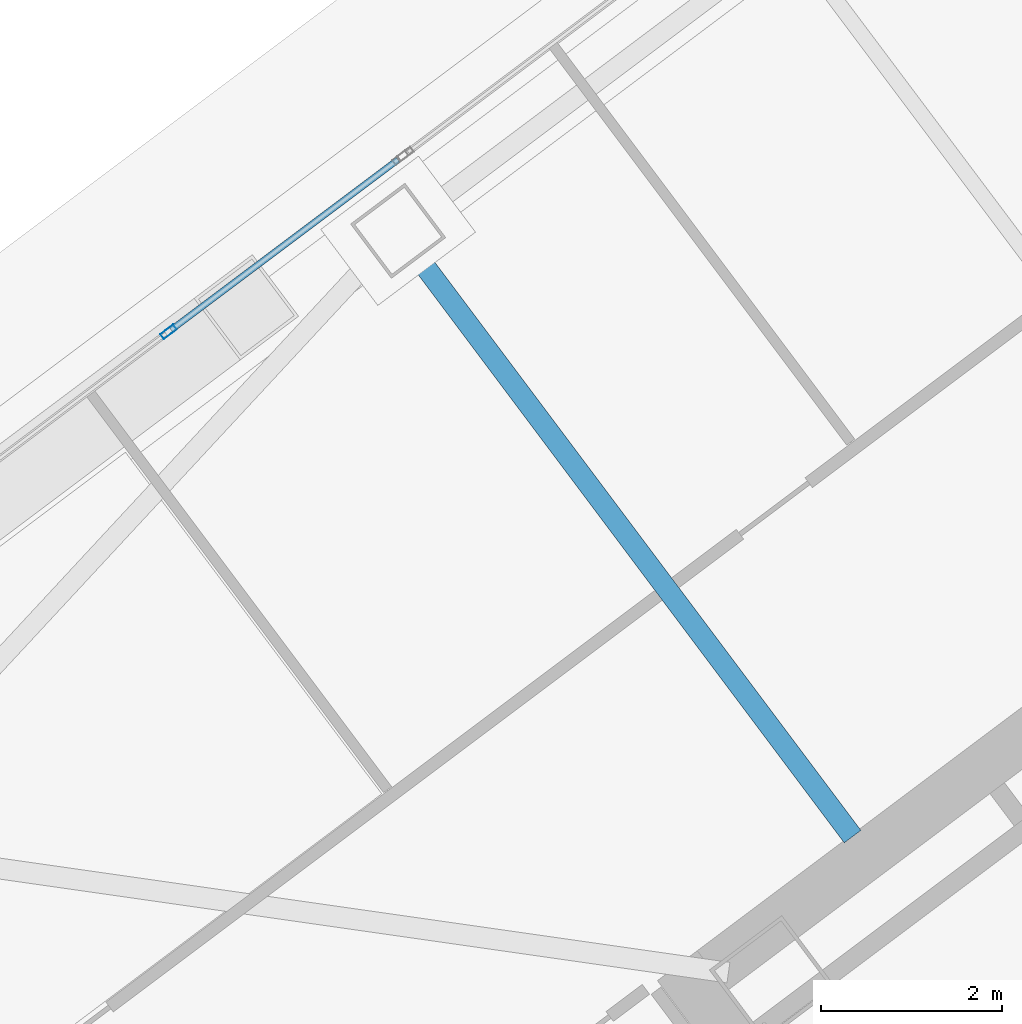
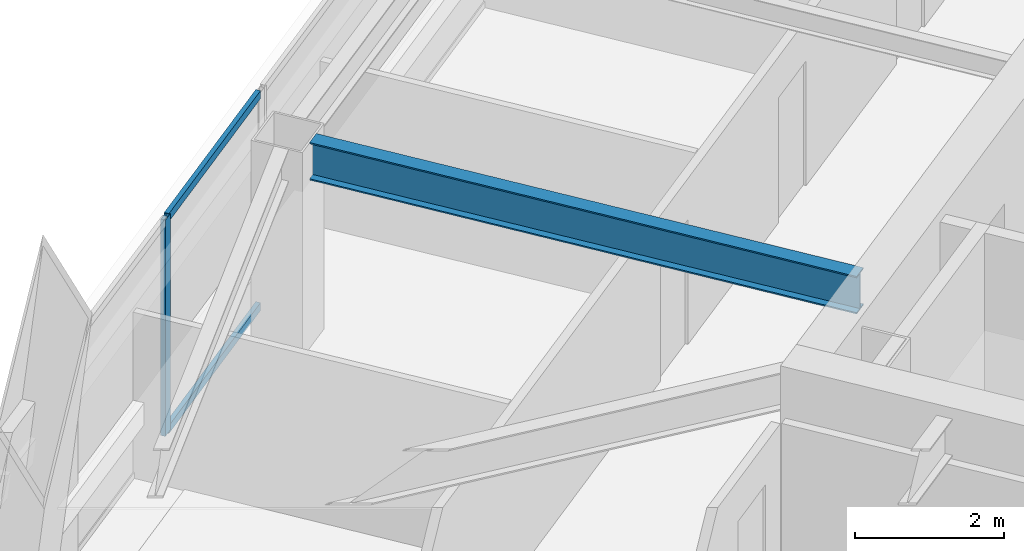
# One storey, part 37 of 65: 3 members, 1 beam, 1 element without a shape of its own.
"""IFC4 building model written with IfcOpenShell, lengths in metres."""

from ifc_helpers import new_model, si_unit, direction, frame, origin, origin_2d, place, context, subcontext, project, spatial, hollow_rectangle, i_section, extrude, material, material_profile, profile_set, type_object, element, aggregate, save


model = new_model("IFC4")

# Units and contexts
model_context = context("Model", 3, precision=1e-05, world=origin(), true_north=direction((0.0, 1.0)))
body_context = subcontext(model_context, "Body", "Model", "MODEL_VIEW")
ifc_project = project(units=[si_unit("LENGTHUNIT", "METRE"), si_unit("AREAUNIT", "SQUARE_METRE"), si_unit("VOLUMEUNIT", "CUBIC_METRE"), si_unit("PLANEANGLEUNIT", "RADIAN"), si_unit("MASSUNIT", "GRAM", prefix="KILO")], contexts=[model_context])

# Site, building, storey
site_placement = place(None, origin())
site = spatial("IfcSite", under=ifc_project, at=site_placement, CompositionType="ELEMENT")
building_placement = place(site_placement, origin())
building = spatial("IfcBuilding", under=site, at=building_placement, Name="Tashvorn Skyway Center", CompositionType="ELEMENT")
storey_placement = place(building_placement, frame((0.0, 0.0, 157.0)))
storey = spatial("IfcBuildingStorey", under=building, at=storey_placement, Name="L42", CompositionType="ELEMENT", Elevation=157.0)

# Beam
ifc_material_1 = material(Name="Steel ASTM A992 Grade 50", Category="steel")
ifc_material_profile_1 = material_profile(ifc_material_1, i_section(OverallWidth=0.22998046875, OverallDepth=0.616943359375, WebThickness=0.01318359375, FlangeThickness=0.022216796875, at=origin_2d()), Name="W24X94")
ifc_profile_set_1 = profile_set([ifc_material_profile_1], Name="Steel ASTM A992 Grade 50")
beam_type = type_object("IfcBeamType", Name="BM-BEAM-W24X94", PredefinedType="BEAM", material=ifc_profile_set_1)
beam_placement = place(storey_placement, frame((100.2119140625, 41.384033203125, 3.0615234375), z_axis=(0.599995117266, -0.800003662027, 0.0), x_axis=(0.800003662027, 0.599995117266, 0.0)))
element("IfcBeam", 1, at=beam_placement, inside=storey, type_object=beam_type, Name="Tower 2 L42 Primary Floor Girder FC-N2", PredefinedType="BEAM", context=body_context, shape_type="SweptSolid", body=[
    extrude(i_section(OverallWidth=0.22998046875, OverallDepth=0.616943359375, WebThickness=0.01318359375, FlangeThickness=0.022216796875, at=origin_2d()), origin(), (0.0, 0.0, 1.0), 8.000244140625),
])

# Curtain wall, members
ifc_material_2 = material(Name="Thermally broken bronze-anodized aluminium 6063-T6", Category="aluminium")
curtain_wall_type = type_object("IfcCurtainWallType", Name="CW-CW-Z4", PredefinedType="NOTDEFINED", material=ifc_material_2)
curtain_wall_placement = place(storey_placement, origin())
curtain_wall = element("IfcCurtainWall", 2, at=curtain_wall_placement, inside=storey, type_object=curtain_wall_type, Name="Tower 2 L42 North Unitised Curtain Wall Glazing Group 1", PredefinedType="NOTDEFINED")
ifc_material_profile_2 = material_profile(ifc_material_2, hollow_rectangle(XDim=0.070068359375, YDim=0.179931640625, WallThickness=0.00390625, at=origin_2d()), Name="ALU-MULL-70x180")
ifc_profile_set_2 = profile_set([ifc_material_profile_2], Name="Thermally broken bronze-anodized aluminium 6063-T6")
member_type_1 = type_object("IfcMemberType", Name="CWM-CW-Z4", PredefinedType="MULLION", material=ifc_profile_set_2)
member_1_placement = place(storey_placement, frame((97.451904296875, 40.56396484375, 0.0), z_axis=(0.0, 0.0, 1.0), x_axis=(-0.600000000002, 0.799999999998, 0.0)))
member_1 = element("IfcMember", 3, at=member_1_placement, type_object=member_type_1, Name="CW-Z4 mullion 2", PredefinedType="MULLION", context=body_context, shape_type="SweptSolid", body=[
    extrude(hollow_rectangle(XDim=0.070068359375, YDim=0.179931640625, WallThickness=0.00390625, at=origin_2d()), origin(), (0.0, 0.0, 1.0), 3.550048828125),
])
ifc_material_profile_3 = material_profile(ifc_material_2, hollow_rectangle(XDim=0.070068359375, YDim=0.1298828125, WallThickness=0.00390625, at=origin_2d()), Name="ALU-TRAN-70x130")
ifc_profile_set_3 = profile_set([ifc_material_profile_3], Name="Thermally broken bronze-anodized aluminium 6063-T6")
member_type_2 = type_object("IfcMemberType", Name="CWT-CW-Z4", PredefinedType="USERDEFINED", material=ifc_profile_set_3)
member_2_placement = place(storey_placement, frame((97.47998046875, 40.5849609375, 0.034912109375), z_axis=(0.799990655127, 0.600012459628, 0.0), x_axis=(-0.600012459628, 0.799990655127, 0.0)))
member_2 = element("IfcMember", 4, at=member_2_placement, type_object=member_type_2, Name="CW-Z4 transom 2.1", ObjectType="TRANSOM", PredefinedType="USERDEFINED", context=body_context, shape_type="SweptSolid", body=[
    extrude(hollow_rectangle(XDim=0.070068359375, YDim=0.1298828125, WallThickness=0.00390625, at=origin_2d()), origin(), (0.0, 0.0, 1.0), 3.135009765625),
])
member_3_placement = place(storey_placement, frame((97.47998046875, 40.5849609375, 3.514892578125), z_axis=(0.799990655127, 0.600012459628, 0.0), x_axis=(-0.600012459628, 0.799990655127, 0.0)))
member_3 = element("IfcMember", 5, at=member_3_placement, type_object=member_type_2, Name="CW-Z4 transom 2.2", ObjectType="TRANSOM", PredefinedType="USERDEFINED", context=body_context, shape_type="SweptSolid", body=[
    extrude(hollow_rectangle(XDim=0.070068359375, YDim=0.1298828125, WallThickness=0.00390625, at=origin_2d()), origin(), (0.0, 0.0, 1.0), 3.135009765625),
])
aggregate(curtain_wall, [member_1, member_2, member_3])

save(model, "model.ifc")
